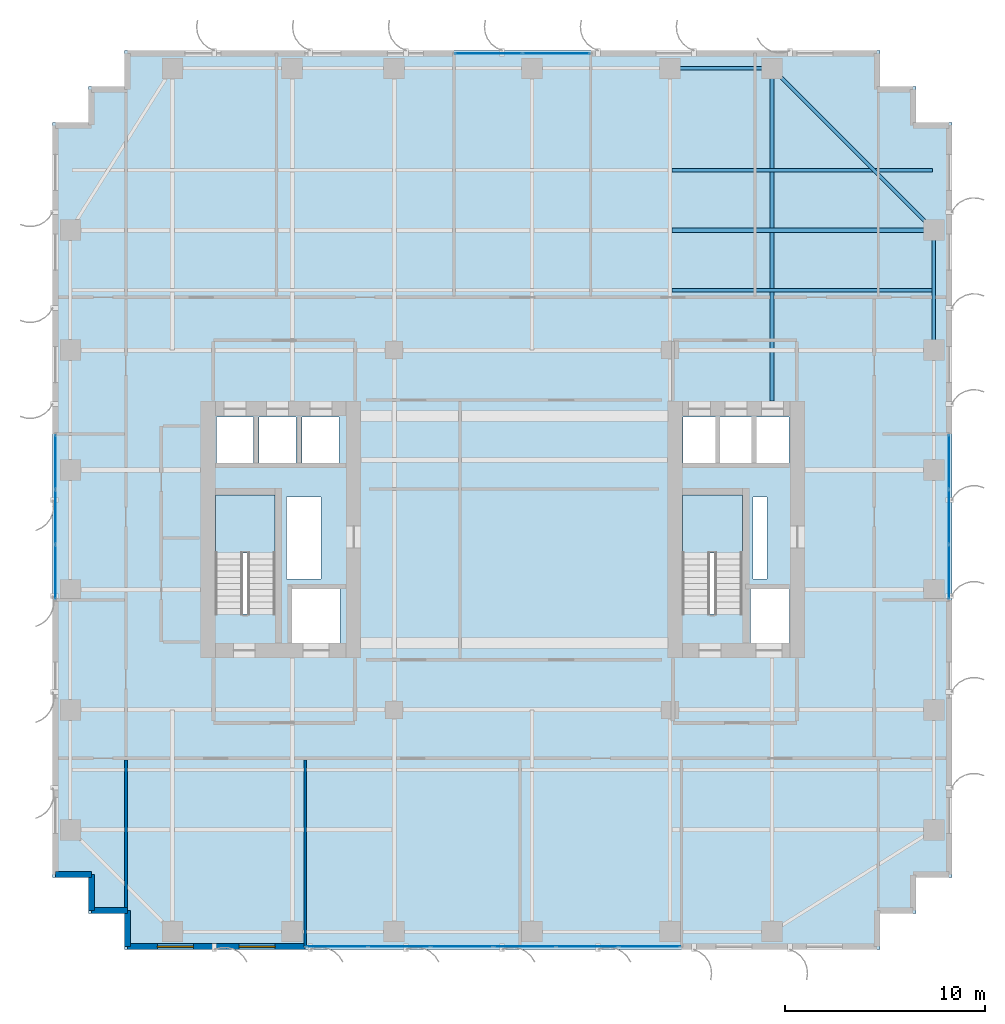
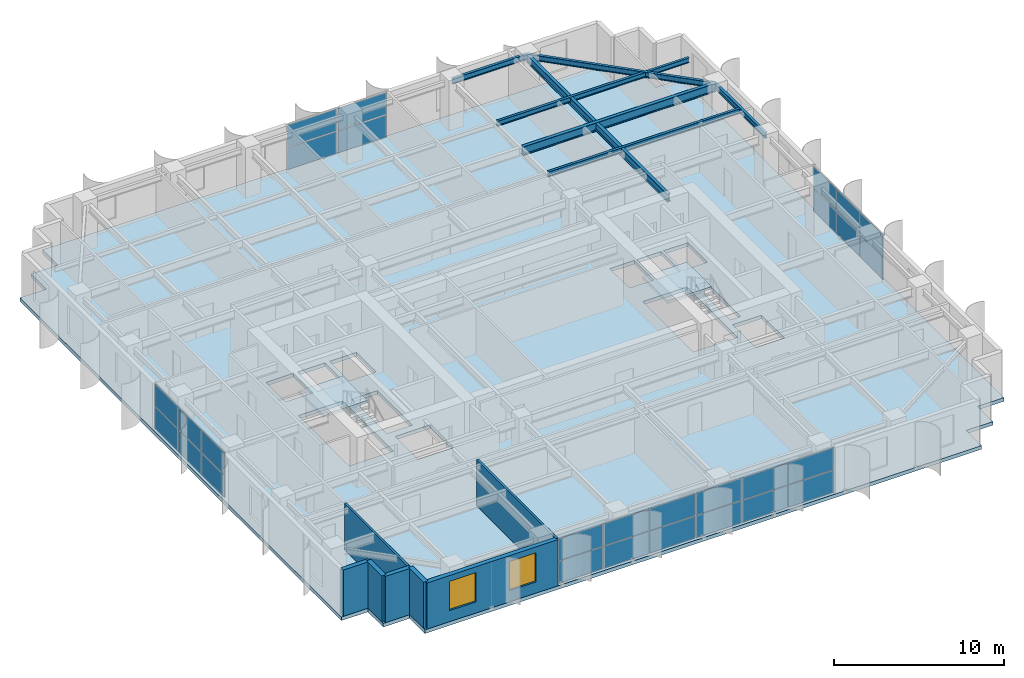
# One storey, part 15 of 22: 28 plates, 7 beams, 7 walls, 3 slabs, 2 windows, 2 openings, 6 elements without a shape of their own.
"""IFC4 building model written with IfcOpenShell, lengths in metres."""

from ifc_helpers import new_model, si_unit, direction, frame, frame_2d, origin, origin_2d, place, context, subcontext, project, spatial, polyline, rectangle, i_section, outline, extrude, source, transform, mapped, material, layer, layer_set, material_profile, profile_set, type_object, element, fill, aggregate, save


model = new_model("IFC4")

# Units and contexts
model_context = context("Model", 3, precision=1e-05, world=origin(), true_north=direction((0.0, 1.0)))
body_context = subcontext(model_context, "Body", "Model", "MODEL_VIEW")
ifc_project = project(units=[si_unit("LENGTHUNIT", "METRE"), si_unit("AREAUNIT", "SQUARE_METRE"), si_unit("VOLUMEUNIT", "CUBIC_METRE"), si_unit("PLANEANGLEUNIT", "RADIAN"), si_unit("MASSUNIT", "GRAM", prefix="KILO")], contexts=[model_context])

# Site, building, storey
site_placement = place(None, origin())
site = spatial("IfcSite", under=ifc_project, at=site_placement, CompositionType="ELEMENT")
building_placement = place(site_placement, origin())
building = spatial("IfcBuilding", under=site, at=building_placement, Name="Khoralis Quay Care Tower", CompositionType="ELEMENT")
storey_placement = place(building_placement, frame((0.0, 0.0, 141.300048828125)))
storey = spatial("IfcBuildingStorey", under=building, at=storey_placement, Name="L37", CompositionType="ELEMENT", Elevation=141.300048828125)

# Beams
ifc_material_1 = material(Name="Steel S355", Category="steel")
ifc_material_profile_1 = material_profile(ifc_material_1, i_section(OverallWidth=0.179931640625, OverallDepth=0.39990234375, WebThickness=0.008544921875, FlangeThickness=0.013427734375, FilletRadius=0.02099609375, at=origin_2d()), Name="Steel S355")
ifc_profile_set_1 = profile_set([ifc_material_profile_1], Name="Steel S355")
beam_type_1 = type_object("IfcBeamType", Name="BM-IPE400", PredefinedType="SPANDREL", material=ifc_profile_set_1)
shared_shape_1 = source(origin(), body_context, "Body", "SweptSolid", [
    extrude(i_section(OverallWidth=0.179931640625, OverallDepth=0.39990234375, WebThickness=0.008544921875, FlangeThickness=0.013427734375, FilletRadius=0.02099609375, at=origin_2d()), origin(), (0.0, 0.0, 1.0), 6.0),
])
beam_1_placement = place(storey_placement, frame((44.10009765625, 30.0, 3.119873046875), z_axis=(0.0, 1.0, 0.0), x_axis=(-1.0, 0.0, 0.0)))
element("IfcBeam", 1, at=beam_1_placement, inside=storey, type_object=beam_type_1, Name="BM-TSP-L37-20", PredefinedType="SPANDREL", context=body_context, shape_type="MappedRepresentation", body=[
    mapped(shared_shape_1, transform((0.0, 0.0, 0.0), scale=1.0)),
])
shared_shape_2 = source(origin(), body_context, "Body", "SweptSolid", [
    extrude(i_section(OverallWidth=0.179931640625, OverallDepth=0.39990234375, WebThickness=0.008544921875, FlangeThickness=0.013427734375, FilletRadius=0.02099609375, at=origin_2d()), origin(), (0.0, 0.0, 1.0), 5.10009765625),
])
beam_2_placement = place(storey_placement, frame((30.89990234375, 44.10009765625, 3.119873046875), z_axis=(1.0, 0.0, 0.0), x_axis=(0.0, 1.0, 0.0)))
element("IfcBeam", 2, at=beam_2_placement, inside=storey, type_object=beam_type_1, Name="BM-TSP-L37-10", PredefinedType="SPANDREL", context=body_context, shape_type="MappedRepresentation", body=[
    mapped(shared_shape_2, transform((0.0, 0.0, 0.0), scale=1.0)),
])
shared_shape_3 = source(origin(), body_context, "Body", "SweptSolid", [
    extrude(i_section(OverallWidth=0.179931640625, OverallDepth=0.39990234375, WebThickness=0.008544921875, FlangeThickness=0.013427734375, FilletRadius=0.02099609375, at=origin_2d()), origin(), (0.0, 0.0, 1.0), 11.455322265625),
])
beam_3_placement = place(storey_placement, frame((36.0, 44.10009765625, 3.119873046875), z_axis=(0.707106781187, -0.707106781187, 0.0), x_axis=(0.707106781187, 0.707106781187, 0.0)))
element("IfcBeam", 3, at=beam_3_placement, inside=storey, type_object=beam_type_1, Name="BM-TCR-L37-24", PredefinedType="SPANDREL", context=body_context, shape_type="MappedRepresentation", body=[
    mapped(shared_shape_3, transform((0.0, 0.0, 0.0), scale=1.0)),
])
ifc_material_profile_2 = material_profile(ifc_material_1, i_section(OverallWidth=0.22998046875, OverallDepth=0.616943359375, WebThickness=0.01318359375, FlangeThickness=0.022216796875, FilletRadius=0.01806640625, at=origin_2d()), Name="Steel S355")
ifc_profile_set_2 = profile_set([ifc_material_profile_2], Name="Steel S355")
beam_type_2 = type_object("IfcBeamType", Name="BM-W610X140", PredefinedType="BEAM", material=ifc_profile_set_2)
shared_shape_4 = source(origin(), body_context, "Body", "SweptSolid", [
    extrude(i_section(OverallWidth=0.22998046875, OverallDepth=0.616943359375, WebThickness=0.01318359375, FlangeThickness=0.022216796875, FilletRadius=0.01806640625, at=origin_2d()), origin(), (0.0, 0.0, 1.0), 13.106201171875),
])
beam_4_placement = place(storey_placement, frame((30.993896484375, 36.0, 3.011474609375), z_axis=(1.0, 0.0, 0.0), x_axis=(0.0, 1.0, 0.0)))
element("IfcBeam", 4, at=beam_4_placement, inside=storey, type_object=beam_type_2, Name="BM-TGXE-L37-360", PredefinedType="BEAM", context=body_context, shape_type="MappedRepresentation", body=[
    mapped(shared_shape_4, transform((0.0, 0.0, 0.0), scale=1.0)),
])
ifc_material_profile_3 = material_profile(ifc_material_1, i_section(OverallWidth=0.2119140625, OverallDepth=0.5439453125, WebThickness=0.01318359375, FlangeThickness=0.021240234375, FilletRadius=0.01611328125, at=origin_2d()), Name="Steel S355")
ifc_profile_set_3 = profile_set([ifc_material_profile_3], Name="Steel S355")
beam_type_3 = type_object("IfcBeamType", Name="BM-W530X123", PredefinedType="BEAM", material=ifc_profile_set_3)
shared_shape_5 = source(origin(), body_context, "Body", "SweptSolid", [
    extrude(i_section(OverallWidth=0.2119140625, OverallDepth=0.5439453125, WebThickness=0.01318359375, FlangeThickness=0.021240234375, FilletRadius=0.01611328125, at=origin_2d()), origin(), (0.0, 0.0, 1.0), 16.652099609375),
])
beam_5_placement = place(storey_placement, frame((36.0, 27.447998046875, 3.0478515625), z_axis=(0.0, 1.0, 0.0), x_axis=(-1.0, 0.0, 0.0)))
element("IfcBeam", 5, at=beam_5_placement, inside=storey, type_object=beam_type_3, Name="BM-TGYN-L37-360", PredefinedType="BEAM", context=body_context, shape_type="MappedRepresentation", body=[
    mapped(shared_shape_5, transform((0.0, 0.0, 0.0), scale=1.0)),
])
ifc_material_profile_4 = material_profile(ifc_material_1, i_section(OverallWidth=0.1708984375, OverallDepth=0.35498046875, WebThickness=0.007080078125, FlangeThickness=0.01171875, FilletRadius=0.012939453125, at=origin_2d()), Name="Steel S355")
ifc_profile_set_4 = profile_set([ifc_material_profile_4], Name="Steel S355")
beam_type_4 = type_object("IfcBeamType", Name="BM-W360X51", PredefinedType="JOIST", material=ifc_profile_set_4)
shared_shape_6 = source(origin(), body_context, "Body", "SweptSolid", [
    extrude(i_section(OverallWidth=0.1708984375, OverallDepth=0.35498046875, WebThickness=0.007080078125, FlangeThickness=0.01171875, FilletRadius=0.012939453125, at=origin_2d()), origin(), (0.0, 0.0, 1.0), 13.030029296875),
])
for number, where, z_axis, x_axis, name in (
    (6, (30.993896484375, 33.0, 3.142333984375), (1.0, 0.0, 0.0), (0.0, 1.0, 0.0), "BM-TJS-L37-29"),
    (7, (30.993896484375, 39.0, 3.142333984375), (1.0, 0.0, 0.0), (0.0, 1.0, 0.0), "BM-TJS-L37-32"),
):
    element("IfcBeam", number, at=place(storey_placement, frame(where, z_axis=z_axis, x_axis=x_axis)), inside=storey, type_object=beam_type_4, Name=name, PredefinedType="JOIST", context=body_context, shape_type="MappedRepresentation", body=[
        mapped(shared_shape_6, transform((0.0, 0.0, 0.0), scale=1.0)),
    ])

# Stair, slab
ifc_material_2 = material(Name="Precast concrete C45/55", Category="concrete")
stair_type = type_object("IfcStairType", Name="ST-TWR-DOGLEG-1400", PredefinedType="HALF_TURN_STAIR", material=ifc_material_2)
stair_1_placement = place(storey_placement, origin())
stair_1 = element("IfcStair", 8, at=stair_1_placement, inside=storey, type_object=stair_type, Name="L37 West Core Exit Stair ST-T1", PredefinedType="HALF_TURN_STAIR")
ifc_layer_1 = layer(ifc_material_2, 0.199951171875)
ifc_layer_set_1 = layer_set([ifc_layer_1], Name="Precast concrete C45/55")
slab_type_1 = type_object("IfcSlabType", Name="SLB-LANDING-200", PredefinedType="LANDING", material=ifc_layer_set_1)
slab_1_placement = place(storey_placement, frame((0.0, 0.0, 1.599853515625)))
slab_1 = element("IfcSlab", 9, at=slab_1_placement, type_object=slab_type_1, Name="ST-T1 landing 1", PredefinedType="LANDING", context=body_context, shape_type="SweptSolid", body=[
    extrude(outline(polyline([(11.14990234375, 19.840087890625), (11.14990234375, 22.75), (8.14990234375, 22.75), (8.14990234375, 19.840087890625), (11.14990234375, 19.840087890625)])), origin(), (0.0, 0.0, 1.0), 0.2001953125),
])
aggregate(stair_1, [slab_1])

stair_2_placement = place(storey_placement, origin())
stair_2 = element("IfcStair", 10, at=stair_2_placement, inside=storey, type_object=stair_type, Name="L37 East Core Exit Stair ST-T2", PredefinedType="HALF_TURN_STAIR")
slab_2_placement = place(storey_placement, frame((0.0, 0.0, 1.599853515625)))
slab_2 = element("IfcSlab", 11, at=slab_2_placement, type_object=slab_type_1, Name="ST-T2 landing 1", PredefinedType="LANDING", context=body_context, shape_type="SweptSolid", body=[
    extrude(outline(polyline([(34.52001953125, 19.840087890625), (34.52001953125, 22.75), (31.52001953125, 22.75), (31.52001953125, 19.840087890625), (34.52001953125, 19.840087890625)])), origin(), (0.0, 0.0, 1.0), 0.2001953125),
])
aggregate(stair_2, [slab_2])

# Slab
ifc_material_3 = material(Name="Concrete C40/50", Category="concrete")
ifc_layer_2 = layer(ifc_material_3, 0.260009765625)
ifc_layer_set_2 = layer_set([ifc_layer_2], Name="Concrete C40/50")
slab_type_2 = type_object("IfcSlabType", Name="SLB-TWR-260", PredefinedType="FLOOR", material=ifc_layer_set_2)
slab_3_placement = place(storey_placement, frame((0.0, 0.0, -0.260009765625)))
element("IfcSlab", 12, at=slab_3_placement, inside=storey, type_object=slab_type_2, Name="Tower Floor Slab L37", PredefinedType="FLOOR", context=body_context, shape_type="SweptSolid", body=[
    extrude(outline(polyline([(3.60009765625, 0.0), (41.39990234375, 0.0), (41.39990234375, 1.800048828125), (43.199951171875, 1.800048828125), (43.199951171875, 3.60009765625), (45.0, 3.60009765625), (45.0, 41.39990234375), (43.199951171875, 41.39990234375), (43.199951171875, 43.199951171875), (41.39990234375, 43.199951171875), (41.39990234375, 45.0), (3.60009765625, 45.0), (3.60009765625, 43.199951171875), (1.800048828125, 43.199951171875), (1.800048828125, 41.39990234375), (0.0, 41.39990234375), (0.0, 3.60009765625), (1.800048828125, 3.60009765625), (1.800048828125, 1.800048828125), (3.60009765625, 1.800048828125), (3.60009765625, 0.0)]), holes=[polyline([(11.14990234375, 16.800048828125), (11.14990234375, 22.75), (8.14990234375, 22.75), (8.14990234375, 16.800048828125), (11.14990234375, 16.800048828125)]), polyline([(34.52001953125, 16.800048828125), (34.52001953125, 22.75), (31.52001953125, 22.75), (31.52001953125, 16.800048828125), (34.52001953125, 16.800048828125)]), polyline([(12.0, 15.35009765625), (14.39990234375, 15.35009765625), (14.39990234375, 18.050048828125), (12.0, 18.050048828125), (12.0, 15.35009765625)]), polyline([(34.919921875, 15.35009765625), (36.8798828125, 15.35009765625), (36.8798828125, 18.050048828125), (34.919921875, 18.050048828125), (34.919921875, 15.35009765625)]), polyline([(8.199951171875, 24.35009765625), (10.050048828125, 24.35009765625), (10.050048828125, 26.64990234375), (8.199951171875, 26.64990234375), (8.199951171875, 24.35009765625)]), polyline([(31.550048828125, 24.35009765625), (33.199951171875, 24.35009765625), (33.199951171875, 26.64990234375), (31.550048828125, 26.64990234375), (31.550048828125, 24.35009765625)]), polyline([(10.35009765625, 24.35009765625), (12.199951171875, 24.35009765625), (12.199951171875, 26.64990234375), (10.35009765625, 26.64990234375), (10.35009765625, 24.35009765625)]), polyline([(33.3798828125, 24.35009765625), (35.030029296875, 24.35009765625), (35.030029296875, 26.64990234375), (33.3798828125, 26.64990234375), (33.3798828125, 24.35009765625)]), polyline([(12.5, 24.35009765625), (14.35009765625, 24.35009765625), (14.35009765625, 26.64990234375), (12.5, 26.64990234375), (12.5, 24.35009765625)]), polyline([(35.199951171875, 24.35009765625), (36.85009765625, 24.35009765625), (36.85009765625, 26.64990234375), (35.199951171875, 26.64990234375), (35.199951171875, 24.35009765625)]), polyline([(11.719970703125, 18.550048828125), (13.449951171875, 18.550048828125), (13.449951171875, 22.64990234375), (11.719970703125, 22.64990234375), (11.719970703125, 18.550048828125)]), polyline([(35.050048828125, 18.550048828125), (35.75, 18.550048828125), (35.75, 22.64990234375), (35.050048828125, 22.64990234375), (35.050048828125, 18.550048828125)])]), origin(), (0.0, 0.0, 1.0), 0.260009765625),
])

# Curtain wall, plates
ifc_material_4 = material(Name="Pale anodised aluminium", Category="aluminium")
ifc_layer_3 = layer(ifc_material_4, 0.169921875)
ifc_layer_set_3 = layer_set([ifc_layer_3], Name="Pale anodised aluminium")
curtain_wall_type = type_object("IfcCurtainWallType", Name="CW-SYS-Z2", PredefinedType="NOTDEFINED", material=ifc_layer_set_3)
curtain_wall_1_placement = place(storey_placement, origin())
curtain_wall_1 = element("IfcCurtainWall", 13, at=curtain_wall_1_placement, inside=storey, type_object=curtain_wall_type, Name="L37 Unitised Curtain Wall CW-L37-P1-E0", PredefinedType="NOTDEFINED")
ifc_material_5 = material(Name="Low-E solar-control double glazing", Category="glass")
ifc_layer_4 = layer(ifc_material_5, 0.031982421875)
ifc_layer_set_4 = layer_set([ifc_layer_4], Name="Low-E solar-control double glazing")
plate_type = type_object("IfcPlateType", Name="PNL-VIS-32", PredefinedType="CURTAIN_PANEL", material=ifc_layer_set_4)
shared_shape_7 = source(origin(), body_context, "Body", "SweptSolid", [
    extrude(rectangle(XDim=3.046630859375, YDim=0.028076171875, at=origin_2d()), origin(), (0.0, 0.0, 1.0), 1.570068359375),
])
plate_1_placement = place(storey_placement, frame((14.2333984375, 0.14990234375, 0.06005859375), z_axis=(0.0, 0.0, 1.0), x_axis=(1.0, 0.0, 0.0)))
plate_1 = element("IfcPlate", 14, at=plate_1_placement, type_object=plate_type, Name="CW2 panel 1.1", PredefinedType="CURTAIN_PANEL", context=body_context, shape_type="MappedRepresentation", body=[
    mapped(shared_shape_7, transform((0.0, 0.0, 0.0), scale=1.0)),
])
plate_2_placement = place(storey_placement, frame((14.2333984375, 0.14990234375, 1.68994140625), z_axis=(0.0, 0.0, 1.0), x_axis=(1.0, 0.0, 0.0)))
plate_2 = element("IfcPlate", 15, at=plate_2_placement, type_object=plate_type, Name="CW2 panel 1.2", PredefinedType="CURTAIN_PANEL", context=body_context, shape_type="MappedRepresentation", body=[
    mapped(shared_shape_7, transform((0.0, 0.0, 0.0), scale=1.0)),
])
plate_3_placement = place(storey_placement, frame((29.88671875, 0.14990234375, 0.06005859375), z_axis=(0.0, 0.0, 1.0), x_axis=(1.0, 0.0, 0.0)))
plate_3 = element("IfcPlate", 16, at=plate_3_placement, type_object=plate_type, Name="CW2 panel 6.1", PredefinedType="CURTAIN_PANEL", context=body_context, shape_type="MappedRepresentation", body=[
    mapped(shared_shape_7, transform((0.0, 0.0, 0.0), scale=1.0)),
])
plate_4_placement = place(storey_placement, frame((29.88671875, 0.14990234375, 1.68994140625), z_axis=(0.0, 0.0, 1.0), x_axis=(1.0, 0.0, 0.0)))
plate_4 = element("IfcPlate", 17, at=plate_4_placement, type_object=plate_type, Name="CW2 panel 6.2", PredefinedType="CURTAIN_PANEL", context=body_context, shape_type="MappedRepresentation", body=[
    mapped(shared_shape_7, transform((0.0, 0.0, 0.0), scale=1.0)),
])
shared_shape_8 = source(origin(), body_context, "Body", "SweptSolid", [
    extrude(rectangle(XDim=3.07666015625, YDim=0.028076171875, at=origin_2d()), origin(), (0.0, 0.0, 1.0), 1.570068359375),
])
plate_5_placement = place(storey_placement, frame((17.35498046875, 0.14990234375, 0.06005859375), z_axis=(0.0, 0.0, 1.0), x_axis=(1.0, 0.0, 0.0)))
plate_5 = element("IfcPlate", 18, at=plate_5_placement, type_object=plate_type, Name="CW2 panel 2.1", PredefinedType="CURTAIN_PANEL", context=body_context, shape_type="MappedRepresentation", body=[
    mapped(shared_shape_8, transform((0.0, 0.0, 0.0), scale=1.0)),
])
plate_6_placement = place(storey_placement, frame((17.35498046875, 0.14990234375, 1.68994140625), z_axis=(0.0, 0.0, 1.0), x_axis=(1.0, 0.0, 0.0)))
plate_6 = element("IfcPlate", 19, at=plate_6_placement, type_object=plate_type, Name="CW2 panel 2.2", PredefinedType="CURTAIN_PANEL", context=body_context, shape_type="MappedRepresentation", body=[
    mapped(shared_shape_8, transform((0.0, 0.0, 0.0), scale=1.0)),
])
plate_7_placement = place(storey_placement, frame((20.49169921875, 0.14990234375, 0.06005859375), z_axis=(0.0, 0.0, 1.0), x_axis=(1.0, 0.0, 0.0)))
plate_7 = element("IfcPlate", 20, at=plate_7_placement, type_object=plate_type, Name="CW2 panel 3.1", PredefinedType="CURTAIN_PANEL", context=body_context, shape_type="MappedRepresentation", body=[
    mapped(shared_shape_8, transform((0.0, 0.0, 0.0), scale=1.0)),
])
plate_8_placement = place(storey_placement, frame((20.49169921875, 0.14990234375, 1.68994140625), z_axis=(0.0, 0.0, 1.0), x_axis=(1.0, 0.0, 0.0)))
plate_8 = element("IfcPlate", 21, at=plate_8_placement, type_object=plate_type, Name="CW2 panel 3.2", PredefinedType="CURTAIN_PANEL", context=body_context, shape_type="MappedRepresentation", body=[
    mapped(shared_shape_8, transform((0.0, 0.0, 0.0), scale=1.0)),
])
plate_9_placement = place(storey_placement, frame((23.62841796875, 0.14990234375, 0.06005859375), z_axis=(0.0, 0.0, 1.0), x_axis=(1.0, 0.0, 0.0)))
plate_9 = element("IfcPlate", 22, at=plate_9_placement, type_object=plate_type, Name="CW2 panel 4.1", PredefinedType="CURTAIN_PANEL", context=body_context, shape_type="MappedRepresentation", body=[
    mapped(shared_shape_8, transform((0.0, 0.0, 0.0), scale=1.0)),
])
plate_10_placement = place(storey_placement, frame((23.62841796875, 0.14990234375, 1.68994140625), z_axis=(0.0, 0.0, 1.0), x_axis=(1.0, 0.0, 0.0)))
plate_10 = element("IfcPlate", 23, at=plate_10_placement, type_object=plate_type, Name="CW2 panel 4.2", PredefinedType="CURTAIN_PANEL", context=body_context, shape_type="MappedRepresentation", body=[
    mapped(shared_shape_8, transform((0.0, 0.0, 0.0), scale=1.0)),
])
plate_11_placement = place(storey_placement, frame((26.764892578125, 0.14990234375, 0.06005859375), z_axis=(0.0, 0.0, 1.0), x_axis=(1.0, 0.0, 0.0)))
plate_11 = element("IfcPlate", 24, at=plate_11_placement, type_object=plate_type, Name="CW2 panel 5.1", PredefinedType="CURTAIN_PANEL", context=body_context, shape_type="MappedRepresentation", body=[
    mapped(shared_shape_8, transform((0.0, 0.0, 0.0), scale=1.0)),
])
plate_12_placement = place(storey_placement, frame((26.764892578125, 0.14990234375, 1.68994140625), z_axis=(0.0, 0.0, 1.0), x_axis=(1.0, 0.0, 0.0)))
plate_12 = element("IfcPlate", 25, at=plate_12_placement, type_object=plate_type, Name="CW2 panel 5.2", PredefinedType="CURTAIN_PANEL", context=body_context, shape_type="MappedRepresentation", body=[
    mapped(shared_shape_8, transform((0.0, 0.0, 0.0), scale=1.0)),
])
aggregate(curtain_wall_1, [plate_1, plate_2, plate_5, plate_6, plate_7, plate_8, plate_9, plate_10, plate_11, plate_12, plate_3, plate_4])

curtain_wall_2_placement = place(storey_placement, origin())
curtain_wall_2 = element("IfcCurtainWall", 26, at=curtain_wall_2_placement, inside=storey, type_object=curtain_wall_type, Name="L37 Unitised Curtain Wall CW-L37-P1-E5", PredefinedType="NOTDEFINED")
shared_shape_9 = source(origin(), body_context, "Body", "SweptSolid", [
    extrude(rectangle(XDim=2.6767578125, YDim=0.028076171875, at=origin_2d()), origin(), (0.0, 0.0, 1.0), 1.570068359375),
])
plate_13_placement = place(storey_placement, frame((44.85009765625, 18.8984375, 0.06005859375), z_axis=(0.0, 0.0, 1.0), x_axis=(0.0, 1.0, 0.0)))
plate_13 = element("IfcPlate", 27, at=plate_13_placement, type_object=plate_type, Name="CW2 panel 1.1", PredefinedType="CURTAIN_PANEL", context=body_context, shape_type="MappedRepresentation", body=[
    mapped(shared_shape_9, transform((0.0, 0.0, 0.0), scale=1.0)),
])
plate_14_placement = place(storey_placement, frame((44.85009765625, 18.8984375, 1.68994140625), z_axis=(0.0, 0.0, 1.0), x_axis=(0.0, 1.0, 0.0)))
plate_14 = element("IfcPlate", 28, at=plate_14_placement, type_object=plate_type, Name="CW2 panel 1.2", PredefinedType="CURTAIN_PANEL", context=body_context, shape_type="MappedRepresentation", body=[
    mapped(shared_shape_9, transform((0.0, 0.0, 0.0), scale=1.0)),
])
plate_15_placement = place(storey_placement, frame((44.85009765625, 24.401611328125, 0.06005859375), z_axis=(0.0, 0.0, 1.0), x_axis=(0.0, 1.0, 0.0)))
plate_15 = element("IfcPlate", 29, at=plate_15_placement, type_object=plate_type, Name="CW2 panel 3.1", PredefinedType="CURTAIN_PANEL", context=body_context, shape_type="MappedRepresentation", body=[
    mapped(shared_shape_9, transform((0.0, 0.0, 0.0), scale=1.0)),
])
plate_16_placement = place(storey_placement, frame((44.85009765625, 24.401611328125, 1.68994140625), z_axis=(0.0, 0.0, 1.0), x_axis=(0.0, 1.0, 0.0)))
plate_16 = element("IfcPlate", 30, at=plate_16_placement, type_object=plate_type, Name="CW2 panel 3.2", PredefinedType="CURTAIN_PANEL", context=body_context, shape_type="MappedRepresentation", body=[
    mapped(shared_shape_9, transform((0.0, 0.0, 0.0), scale=1.0)),
])

curtain_wall_3_placement = place(storey_placement, origin())
curtain_wall_3 = element("IfcCurtainWall", 31, at=curtain_wall_3_placement, inside=storey, type_object=curtain_wall_type, Name="L37 Unitised Curtain Wall CW-L37-P1-E15", PredefinedType="NOTDEFINED")
plate_17_placement = place(storey_placement, frame((0.14990234375, 24.401611328125, 0.06005859375), z_axis=(0.0, 0.0, 1.0), x_axis=(0.0, -1.0, 0.0)))
plate_17 = element("IfcPlate", 32, at=plate_17_placement, type_object=plate_type, Name="CW2 panel 1.1", PredefinedType="CURTAIN_PANEL", context=body_context, shape_type="MappedRepresentation", body=[
    mapped(shared_shape_9, transform((0.0, 0.0, 0.0), scale=1.0)),
])
plate_18_placement = place(storey_placement, frame((0.14990234375, 24.401611328125, 1.68994140625), z_axis=(0.0, 0.0, 1.0), x_axis=(0.0, -1.0, 0.0)))
plate_18 = element("IfcPlate", 33, at=plate_18_placement, type_object=plate_type, Name="CW2 panel 1.2", PredefinedType="CURTAIN_PANEL", context=body_context, shape_type="MappedRepresentation", body=[
    mapped(shared_shape_9, transform((0.0, 0.0, 0.0), scale=1.0)),
])
plate_19_placement = place(storey_placement, frame((0.14990234375, 18.8984375, 0.06005859375), z_axis=(0.0, 0.0, 1.0), x_axis=(0.0, -1.0, 0.0)))
plate_19 = element("IfcPlate", 34, at=plate_19_placement, type_object=plate_type, Name="CW2 panel 3.1", PredefinedType="CURTAIN_PANEL", context=body_context, shape_type="MappedRepresentation", body=[
    mapped(shared_shape_9, transform((0.0, 0.0, 0.0), scale=1.0)),
])
plate_20_placement = place(storey_placement, frame((0.14990234375, 18.8984375, 1.68994140625), z_axis=(0.0, 0.0, 1.0), x_axis=(0.0, -1.0, 0.0)))
plate_20 = element("IfcPlate", 35, at=plate_20_placement, type_object=plate_type, Name="CW2 panel 3.2", PredefinedType="CURTAIN_PANEL", context=body_context, shape_type="MappedRepresentation", body=[
    mapped(shared_shape_9, transform((0.0, 0.0, 0.0), scale=1.0)),
])

# Plate
shared_shape_10 = source(origin(), body_context, "Body", "SweptSolid", [
    extrude(rectangle(XDim=2.706787109375, YDim=0.028076171875, at=origin_2d()), origin(), (0.0, 0.0, 1.0), 1.570068359375),
])
plate_21_placement = place(storey_placement, frame((44.85009765625, 21.64990234375, 0.06005859375), z_axis=(0.0, 0.0, 1.0), x_axis=(0.0, 1.0, 0.0)))
plate_21 = element("IfcPlate", 36, at=plate_21_placement, type_object=plate_type, Name="CW2 panel 2.1", PredefinedType="CURTAIN_PANEL", context=body_context, shape_type="MappedRepresentation", body=[
    mapped(shared_shape_10, transform((0.0, 0.0, 0.0), scale=1.0)),
])

plate_22_placement = place(storey_placement, frame((44.85009765625, 21.64990234375, 1.68994140625), z_axis=(0.0, 0.0, 1.0), x_axis=(0.0, 1.0, 0.0)))
plate_22 = element("IfcPlate", 37, at=plate_22_placement, type_object=plate_type, Name="CW2 panel 2.2", PredefinedType="CURTAIN_PANEL", context=body_context, shape_type="MappedRepresentation", body=[
    mapped(shared_shape_10, transform((0.0, 0.0, 0.0), scale=1.0)),
])

aggregate(curtain_wall_2, [plate_13, plate_14, plate_21, plate_22, plate_15, plate_16])

plate_23_placement = place(storey_placement, frame((0.14990234375, 21.64990234375, 0.06005859375), z_axis=(0.0, 0.0, 1.0), x_axis=(0.0, -1.0, 0.0)))
plate_23 = element("IfcPlate", 38, at=plate_23_placement, type_object=plate_type, Name="CW2 panel 2.1", PredefinedType="CURTAIN_PANEL", context=body_context, shape_type="MappedRepresentation", body=[
    mapped(shared_shape_10, transform((0.0, 0.0, 0.0), scale=1.0)),
])

plate_24_placement = place(storey_placement, frame((0.14990234375, 21.64990234375, 1.68994140625), z_axis=(0.0, 0.0, 1.0), x_axis=(0.0, -1.0, 0.0)))
plate_24 = element("IfcPlate", 39, at=plate_24_placement, type_object=plate_type, Name="CW2 panel 2.2", PredefinedType="CURTAIN_PANEL", context=body_context, shape_type="MappedRepresentation", body=[
    mapped(shared_shape_10, transform((0.0, 0.0, 0.0), scale=1.0)),
])

aggregate(curtain_wall_3, [plate_17, plate_18, plate_23, plate_24, plate_19, plate_20])

# Curtain wall, plates
curtain_wall_4_placement = place(storey_placement, origin())
curtain_wall_4 = element("IfcCurtainWall", 40, at=curtain_wall_4_placement, inside=storey, type_object=curtain_wall_type, Name="L37 Unitised Curtain Wall CW-L37-P1-E10", PredefinedType="NOTDEFINED")
shared_shape_11 = source(origin(), body_context, "Body", "SweptSolid", [
    extrude(rectangle(XDim=3.3349609375, YDim=0.028076171875, at=origin_2d()), origin(), (0.0, 0.0, 1.0), 1.570068359375),
])
plate_25_placement = place(storey_placement, frame((25.21240234375, 44.85009765625, 0.06005859375), z_axis=(0.0, 0.0, 1.0), x_axis=(-1.0, 0.0, 0.0)))
plate_25 = element("IfcPlate", 41, at=plate_25_placement, type_object=plate_type, Name="CW2 panel 1.1", PredefinedType="CURTAIN_PANEL", context=body_context, shape_type="MappedRepresentation", body=[
    mapped(shared_shape_11, transform((0.0, 0.0, 0.0), scale=1.0)),
])
plate_26_placement = place(storey_placement, frame((25.21240234375, 44.85009765625, 1.68994140625), z_axis=(0.0, 0.0, 1.0), x_axis=(-1.0, 0.0, 0.0)))
plate_26 = element("IfcPlate", 42, at=plate_26_placement, type_object=plate_type, Name="CW2 panel 1.2", PredefinedType="CURTAIN_PANEL", context=body_context, shape_type="MappedRepresentation", body=[
    mapped(shared_shape_11, transform((0.0, 0.0, 0.0), scale=1.0)),
])
plate_27_placement = place(storey_placement, frame((21.8173828125, 44.85009765625, 0.06005859375), z_axis=(0.0, 0.0, 1.0), x_axis=(-1.0, 0.0, 0.0)))
plate_27 = element("IfcPlate", 43, at=plate_27_placement, type_object=plate_type, Name="CW2 panel 2.1", PredefinedType="CURTAIN_PANEL", context=body_context, shape_type="MappedRepresentation", body=[
    mapped(shared_shape_11, transform((0.0, 0.0, 0.0), scale=1.0)),
])
plate_28_placement = place(storey_placement, frame((21.8173828125, 44.85009765625, 1.68994140625), z_axis=(0.0, 0.0, 1.0), x_axis=(-1.0, 0.0, 0.0)))
plate_28 = element("IfcPlate", 44, at=plate_28_placement, type_object=plate_type, Name="CW2 panel 2.2", PredefinedType="CURTAIN_PANEL", context=body_context, shape_type="MappedRepresentation", body=[
    mapped(shared_shape_11, transform((0.0, 0.0, 0.0), scale=1.0)),
])
aggregate(curtain_wall_4, [plate_25, plate_26, plate_27, plate_28])

# Wall, openings, windows
ifc_layer_5 = layer(ifc_material_2, 0.300048828125)
ifc_layer_set_5 = layer_set([ifc_layer_5], Name="Precast concrete C45/55")
wall_type_1 = type_object("IfcWallType", Name="WL-EXT-REF-300", PredefinedType="SOLIDWALL", material=ifc_layer_set_5)
wall_1_placement = place(storey_placement, frame((3.75, 0.14990234375, 0.0), z_axis=(0.0, 0.0, 1.0), x_axis=(1.0, 0.0, 0.0)))
wall_1 = element("IfcWall", 45, at=wall_1_placement, inside=storey, type_object=wall_type_1, Name="L37 External Facade Wall WL-EXT-L37-P1-E0A", PredefinedType="SOLIDWALL", context=body_context, shape_type="SweptSolid", body=[
    extrude(rectangle(XDim=8.89990234375, YDim=0.300048828125, at=frame_2d((4.449951171875, 0.0))), origin(), (0.0, 0.0, 1.0), 3.320068359375),
])
opening_1_placement = place(wall_1_placement, frame((1.5048828125, 0.0, 0.800048828125)))
opening_1 = element("IfcOpeningElement", 46, at=opening_1_placement, cuts=wall_1, Name="Opening W2", PredefinedType="OPENING", context=body_context, shape_type="SweptSolid", body=[
    extrude(rectangle(XDim=1.800048828125, YDim=2.10009765625, at=frame_2d((0.89990234375, 1.050048828125))), frame((0.0, 0.16015625, 0.0), z_axis=(0.0, -1.0, 0.0), x_axis=(1.0, 0.0, 0.0)), (0.0, 0.0, 1.0), 0.320068359375),
])
opening_2_placement = place(wall_1_placement, frame((5.594970703125, 0.0, 0.800048828125)))
opening_2 = element("IfcOpeningElement", 47, at=opening_2_placement, cuts=wall_1, Name="Opening W2", PredefinedType="OPENING", context=body_context, shape_type="SweptSolid", body=[
    extrude(rectangle(XDim=1.800048828125, YDim=2.10009765625, at=frame_2d((0.89990234375, 1.050048828125))), frame((0.0, 0.16015625, 0.0), z_axis=(0.0, -1.0, 0.0), x_axis=(1.0, 0.0, 0.0)), (0.0, 0.0, 1.0), 0.320068359375),
])
window_type = type_object("IfcWindowType", Name="WN-POD-1800X2100", PartitioningType="SINGLE_PANEL", PredefinedType="WINDOW", material=ifc_material_5)
shared_shape_12 = source(origin(), body_context, "Body", "SweptSolid", [
    extrude(rectangle(XDim=1.800048828125, YDim=2.10009765625, at=frame_2d((0.89990234375, 1.050048828125))), frame((0.0, 0.030029296875, 0.0), z_axis=(0.0, -1.0, 0.0), x_axis=(1.0, 0.0, 0.0)), (0.0, 0.0, 1.0), 0.06005859375),
])
window_1_placement = place(opening_1_placement, origin())
window_1 = element("IfcWindow", 48, at=window_1_placement, inside=storey, type_object=window_type, Name="WN-L37-P1-E0A Facade Window 01", OverallHeight=2.10009765625, OverallWidth=1.800048828125, PartitioningType="SINGLE_PANEL", PredefinedType="WINDOW", context=body_context, shape_type="MappedRepresentation", body=[
    mapped(shared_shape_12, transform((0.0, 0.0, 0.0), scale=1.0)),
])
fill(opening_1, window_1)
window_2_placement = place(opening_2_placement, origin())
window_2 = element("IfcWindow", 49, at=window_2_placement, inside=storey, type_object=window_type, Name="WN-L37-P1-E0A Facade Window 02", OverallHeight=2.10009765625, OverallWidth=1.800048828125, PartitioningType="SINGLE_PANEL", PredefinedType="WINDOW", context=body_context, shape_type="MappedRepresentation", body=[
    mapped(shared_shape_12, transform((0.0, 0.0, 0.0), scale=1.0)),
])
fill(opening_2, window_2)

# Walls
for number, where, z_axis, x_axis, name in (
    (50, (0.14990234375, 3.75, 0.0), (0.0, 0.0, 1.0), (1.0, 0.0, 0.0), "L37 External Facade Wall WL-EXT-L37-P1-C16"),
    (51, (1.949951171875, 3.75, 0.0), (0.0, 0.0, 1.0), (0.0, -1.0, 0.0), "L37 External Facade Wall WL-EXT-L37-P1-C17"),
    (52, (1.949951171875, 1.949951171875, 0.0), (0.0, 0.0, 1.0), (1.0, 0.0, 0.0), "L37 External Facade Wall WL-EXT-L37-P1-C18"),
    (53, (3.75, 1.949951171875, 0.0), (0.0, 0.0, 1.0), (0.0, -1.0, 0.0), "L37 External Facade Wall WL-EXT-L37-P1-C19"),
):
    element("IfcWall", number, at=place(storey_placement, frame(where, z_axis=z_axis, x_axis=x_axis)), inside=storey, type_object=wall_type_1, Name=name, PredefinedType="SOLIDWALL", context=body_context, shape_type="SweptSolid", body=[
        extrude(rectangle(XDim=1.800048828125, YDim=0.300048828125, at=frame_2d((0.89990234375, 0.0))), origin(), (0.0, 0.0, 1.0), 3.320068359375),
    ])
ifc_material_6 = material(Name="Gypsum plasterboard on acoustic metal stud")
ifc_layer_6 = layer(ifc_material_6, 0.139892578125)
ifc_layer_set_6 = layer_set([ifc_layer_6], Name="Gypsum plasterboard on acoustic metal stud")
wall_type_2 = type_object("IfcWallType", Name="WL-UNIT-140", PredefinedType="PARTITIONING", material=ifc_layer_set_6)
wall_2_placement = place(storey_placement, frame((3.679931640625, 1.945068359375, 0.0), z_axis=(0.0, 0.0, 1.0), x_axis=(0.0, 1.0, 0.0)))
element("IfcWall", 54, at=wall_2_placement, inside=storey, type_object=wall_type_2, Name="L37 SB Demising Wall 0", PredefinedType="PARTITIONING", context=body_context, shape_type="SweptSolid", body=[
    extrude(rectangle(XDim=7.557373046875, YDim=0.139892578125, at=frame_2d((3.77880859375, 0.0))), origin(), (0.0, 0.0, 1.0), 3.320068359375),
])
wall_3_placement = place(storey_placement, frame((12.64990234375, 0.14501953125, 0.0), z_axis=(0.0, 0.0, 1.0), x_axis=(0.0, 1.0, 0.0)))
element("IfcWall", 55, at=wall_3_placement, inside=storey, type_object=wall_type_2, Name="L37 SB Demising Wall 1", PredefinedType="PARTITIONING", context=body_context, shape_type="SweptSolid", body=[
    extrude(rectangle(XDim=9.357421875, YDim=0.139892578125, at=frame_2d((4.6787109375, 0.0))), origin(), (0.0, 0.0, 1.0), 3.320068359375),
])

save(model, "model.ifc")
